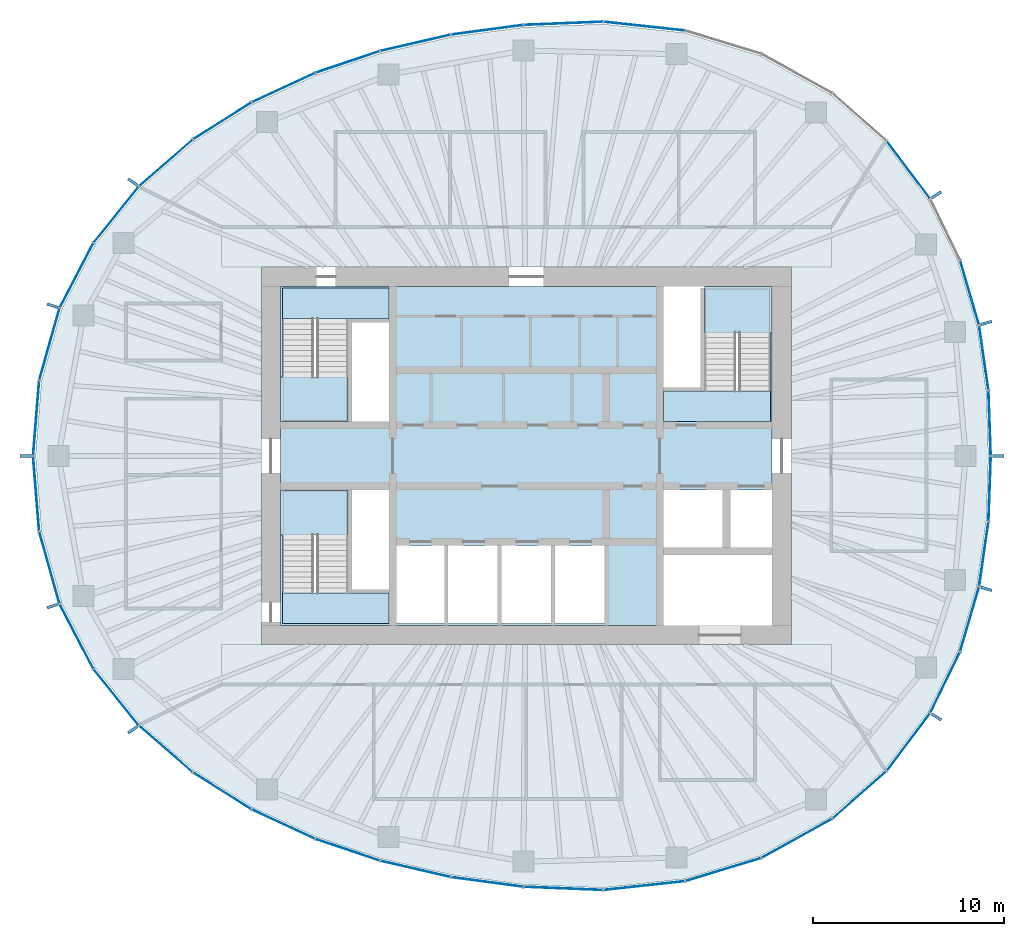
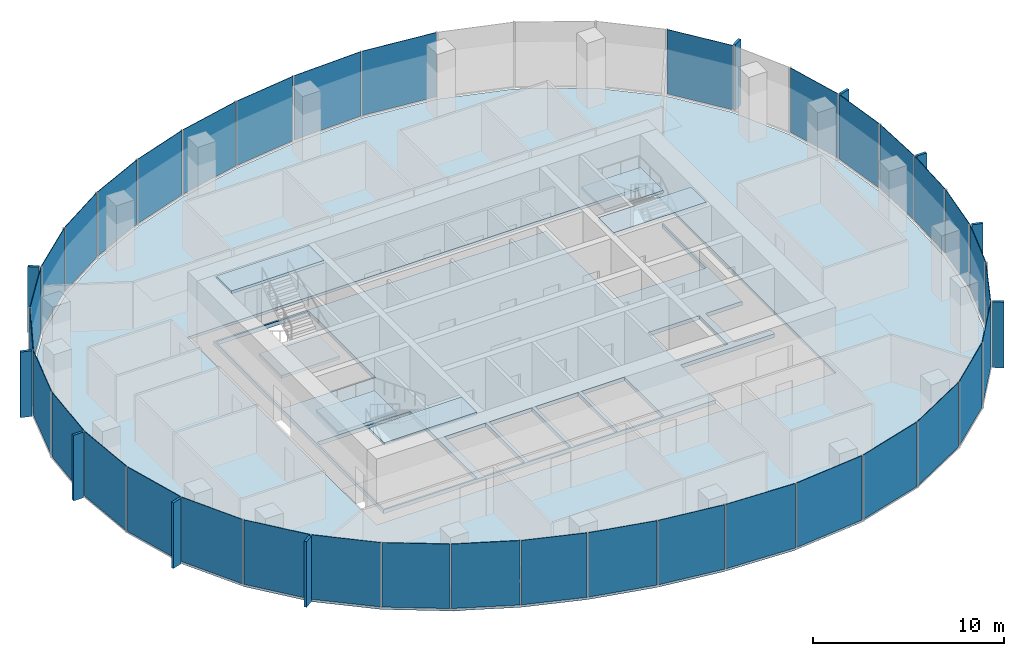
# One storey, part 7 of 11: 46 plates, 8 slabs, 22 elements without a shape of their own.
"""IFC4 building model written with IfcOpenShell, lengths in metres."""

import ifcopenshell
import ifcopenshell.guid

model = None  # the IFC model being written
_history = None  # IfcOwnerHistory: only IFC2X3 demands one
_inside = {}  # id of a spatial element -> (the spatial element, [elements in it])
_under = {}  # id of a project, library or spatial element -> (it, [spatial elements below it])
_declared = {}  # id of a project -> (the project, [libraries it declares])
_typed = {}  # id of a type object -> (the type object, [elements of that type])
_made_of = {}  # id of a material, layer set ... -> (it, [elements and type objects made of it])


def new_model(schema):
    """Start an empty IFC model of exactly this schema.

    Asked for "IFC4X3", IfcOpenShell would pick the latest addendum, in which some entities
    have other attributes; the version numbers below select the first issue.
    IFC2X3 requires an IfcOwnerHistory on every rooted entity: one is made here for all.
    """
    global model, _history
    if schema == "IFC4X3":
        model = ifcopenshell.file(schema_version=(4, 3, 0, 0))
    else:
        model = ifcopenshell.file(schema=schema)
    _inside.clear()
    _under.clear()
    _declared.clear()
    _typed.clear()
    _made_of.clear()
    _history = None
    if model.schema == "IFC2X3":
        org = make("IfcOrganization", Name="unknown")
        user = make(
            "IfcPersonAndOrganization",
            ThePerson=make("IfcPerson", FamilyName="unknown"),
            TheOrganization=org,
        )
        app = make(
            "IfcApplication",
            ApplicationDeveloper=org,
            Version="unknown",
            ApplicationFullName="unknown",
            ApplicationIdentifier="unknown",
        )
        _history = make(
            "IfcOwnerHistory",
            OwningUser=user,
            OwningApplication=app,
            ChangeAction="ADDED",
            CreationDate=0,
        )
    return model


def make(cls, **values):
    """One entity of the class cls with the attributes given. An attribute that is None is left unset."""
    return model.create_entity(
        cls, **{name: value for name, value in values.items() if value is not None}
    )


def rooted(cls, **values):
    """An entity with a GlobalId (a new one), such as an element, a storey or a relation."""
    return make(cls, GlobalId=ifcopenshell.guid.new(), OwnerHistory=_history, **values)


def si_unit(unit_type, name, prefix=None):
    """IfcSIUnit, for example si_unit("LENGTHUNIT", "METRE", prefix="MILLI")."""
    return make("IfcSIUnit", UnitType=unit_type, Prefix=prefix, Name=name)


def assignment(units):
    """IfcUnitAssignment: the units of a project."""
    return None if units is None else make("IfcUnitAssignment", Units=units)


def point(xyz):
    """IfcCartesianPoint."""
    return None if xyz is None else make("IfcCartesianPoint", Coordinates=xyz)


def direction(xyz):
    """IfcDirection."""
    return None if xyz is None else make("IfcDirection", DirectionRatios=xyz)


def frame(location, z_axis=None, x_axis=None):
    """IfcAxis2Placement3D, a coordinate frame: its origin and axes. An axis left out is left unset."""
    return make(
        "IfcAxis2Placement3D",
        Location=point(location),
        Axis=direction(z_axis),
        RefDirection=direction(x_axis),
    )


def frame_2d(location, x_axis=None):
    """IfcAxis2Placement2D, a coordinate frame in the plane: its origin and x axis."""
    return make(
        "IfcAxis2Placement2D", Location=point(location), RefDirection=direction(x_axis)
    )


def origin():
    """The frame at (0, 0, 0) with its axes left unset."""
    return frame((0.0, 0.0, 0.0))


def origin_2d():
    """The frame at (0, 0) in the plane with its x axis left unset."""
    return frame_2d((0.0, 0.0))


def place(relative_to, where):
    """IfcLocalPlacement: puts the frame where relative to a parent placement (None: the world)."""
    return make(
        "IfcLocalPlacement", PlacementRelTo=relative_to, RelativePlacement=where
    )


def context(
    kind, dimensions, precision=None, world=None, true_north=None, identifier=None
):
    """IfcGeometricRepresentationContext, for example the 3D "Model" context."""
    return make(
        "IfcGeometricRepresentationContext",
        ContextIdentifier=identifier,
        ContextType=kind,
        CoordinateSpaceDimension=dimensions,
        Precision=precision,
        WorldCoordinateSystem=world,
        TrueNorth=true_north,
    )


def subcontext(parent, identifier, kind, view, scale=None):
    """IfcGeometricRepresentationSubContext, for example "Body" below "Model"."""
    return make(
        "IfcGeometricRepresentationSubContext",
        ContextIdentifier=identifier,
        ContextType=kind,
        ParentContext=parent,
        TargetScale=scale,
        TargetView=view,
    )


def project(units=None, contexts=None):
    """IfcProject with its units and contexts."""
    return rooted(
        "IfcProject",
        Name="project",
        RepresentationContexts=contexts,
        UnitsInContext=assignment(units),
    )


def spatial(cls, under=None, at=None, **own):
    """A site, building, storey or space (cls), placed at a placement, below another one or the project."""
    s = rooted(cls, ObjectPlacement=at, **own)
    if under is not None:
        _under.setdefault(under.id(), (under, []))[1].append(s)
    return s


def polyline(points):
    """IfcPolyline through the points."""
    return make("IfcPolyline", Points=[point(p) for p in points])


def profile(cls, at=None, kind="AREA", **sizes):
    """A parametric profile (cls). Its sizes go by their IFC names, for example OverallWidth=200.0."""
    return make(cls, ProfileType=kind, Position=at, **sizes)


def rectangle(**sizes):
    """IfcRectangleProfileDef."""
    return profile("IfcRectangleProfileDef", **sizes)


def outline(outer, holes=None, kind="AREA"):
    """IfcArbitraryClosedProfileDef: a profile drawn as a closed curve; with holes, ...WithVoids."""
    if holes is None:
        return make("IfcArbitraryClosedProfileDef", ProfileType=kind, OuterCurve=outer)
    return make(
        "IfcArbitraryProfileDefWithVoids",
        ProfileType=kind,
        OuterCurve=outer,
        InnerCurves=holes,
    )


def extrude(swept, where, along, depth):
    """IfcExtrudedAreaSolid: the profile swept, set in the frame where, extruded along a direction by depth."""
    return make(
        "IfcExtrudedAreaSolid",
        SweptArea=swept,
        Position=where,
        ExtrudedDirection=direction(along),
        Depth=depth,
    )


def shape(context_of_items, identifier, shape_type, items):
    """IfcShapeRepresentation: the items that make up one representation, for example the "Body"."""
    return make(
        "IfcShapeRepresentation",
        ContextOfItems=context_of_items,
        RepresentationIdentifier=identifier,
        RepresentationType=shape_type,
        Items=items,
    )


def material(Name=None, Category=None):
    """IfcMaterial."""
    return make("IfcMaterial", Name=Name, Category=Category)


def layer(
    of_material, thickness, ventilated=None, Name=None, Category=None, Priority=None
):
    """IfcMaterialLayer: one layer of a wall or slab, of a material (None: an air gap)."""
    return make(
        "IfcMaterialLayer",
        Material=of_material,
        LayerThickness=thickness,
        IsVentilated=ventilated,
        Name=Name,
        Category=Category,
        Priority=Priority,
    )


def layer_set(layers, Name=None):
    """IfcMaterialLayerSet."""
    return make("IfcMaterialLayerSet", MaterialLayers=layers, LayerSetName=Name)


def made_of(thing, what):
    """Note that an element or type object is made of a material, layer set ...; save() writes the relation."""
    if what is not None:
        _made_of.setdefault(what.id(), (what, []))[1].append(thing)
    return thing


def type_object(cls, material=None, **own):
    """A type object (cls), such as IfcWallType, which elements share."""
    return made_of(rooted(cls, **own), material)


def element(
    cls,
    number,
    at=None,
    inside=None,
    cuts=None,
    type_object=None,
    material=None,
    context=None,
    identifier="Body",
    shape_type=None,
    held_by="IfcProductDefinitionShape",
    body=None,
    shapes=None,
    **own,
):
    """One element of the class cls, such as IfcWall. Its Tag is "e" and its number.

    at: its placement. inside: the storey or other place that contains it. cuts: it is an
    opening in that element (IfcRelVoidsElement). A single representation is given by context,
    identifier, shape_type and body (its items); several are given by shapes. held_by: the class
    of the entity that holds the representations. save() writes the other relations.
    """
    e = rooted(cls, Tag="e%d" % number, ObjectPlacement=at, **own)
    if body is not None:
        shapes = [shape(context, identifier, shape_type, body)]
    if shapes is not None:
        e.Representation = make(held_by, Representations=shapes)
    if inside is not None:
        _inside.setdefault(inside.id(), (inside, []))[1].append(e)
    if cuts is not None:
        rooted(
            "IfcRelVoidsElement", RelatingBuildingElement=cuts, RelatedOpeningElement=e
        )
    if type_object is not None:
        _typed.setdefault(type_object.id(), (type_object, []))[1].append(e)
    return made_of(e, material)


def aggregate(whole, parts):
    """IfcRelAggregates: a whole, such as a stair, and the parts it consists of."""
    return rooted("IfcRelAggregates", RelatingObject=whole, RelatedObjects=parts)


def save(model, path):
    """Write the relations noted so far, then the file.

    IfcRelAggregates (storeys below a building ...), IfcRelContainedInSpatialStructure (elements
    in a storey), IfcRelDefinesByType, IfcRelAssociatesMaterial and IfcRelDeclares: one each for
    every whole, place, type object, material and project.
    """
    for whole, parts in _under.values():
        aggregate(whole, parts)
    for where, things in _inside.values():
        rooted(
            "IfcRelContainedInSpatialStructure",
            RelatedElements=things,
            RelatingStructure=where,
        )
    for kind, things in _typed.values():
        rooted("IfcRelDefinesByType", RelatedObjects=things, RelatingType=kind)
    for what, things in _made_of.values():
        rooted("IfcRelAssociatesMaterial", RelatedObjects=things, RelatingMaterial=what)
    for by, libraries in _declared.values():
        rooted("IfcRelDeclares", RelatingContext=by, RelatedDefinitions=libraries)
    model.write(path)


model = new_model("IFC4")

# Units and contexts
model_context = context("Model", 3, precision=1e-05, world=origin(), true_north=direction((0.0, 1.0)))
body_context = subcontext(model_context, "Body", "Model", "MODEL_VIEW")
ifc_project = project(units=[si_unit("LENGTHUNIT", "METRE"), si_unit("AREAUNIT", "SQUARE_METRE"), si_unit("VOLUMEUNIT", "CUBIC_METRE"), si_unit("PLANEANGLEUNIT", "RADIAN"), si_unit("MASSUNIT", "GRAM", prefix="KILO")], contexts=[model_context])

# Site, building, storey
site_placement = place(None, origin())
site = spatial("IfcSite", under=ifc_project, at=site_placement, CompositionType="ELEMENT")
building_placement = place(site_placement, origin())
building = spatial("IfcBuilding", under=site, at=building_placement, Name="Ghaith Harvest Tower", CompositionType="ELEMENT")
storey_placement = place(building_placement, frame((0.0, 0.0, 279.60009765625)))
storey = spatial("IfcBuildingStorey", under=building, at=storey_placement, Name="L62", CompositionType="ELEMENT", Elevation=279.60009765625)

# Curtain wall, plates
ifc_material_1 = material(Name="Black anodised aluminium and fritted glass", Category="aluminium")
curtain_wall_type = type_object("IfcCurtainWallType", Name="CW-T CURTAIN WALL", PredefinedType="NOTDEFINED", material=ifc_material_1)
curtain_wall_1_placement = place(storey_placement, origin())
curtain_wall_1 = element("IfcCurtainWall", 1, at=curtain_wall_1_placement, inside=storey, type_object=curtain_wall_type, Name="Curtain wall CW-T bay 01 L62", PredefinedType="NOTDEFINED")
ifc_material_2 = material(Name="Glass, dark solar-control fritted double glazed unit", Category="glass")
ifc_layer_1 = layer(ifc_material_2, 0.033935546875)
ifc_layer_set_1 = layer_set([ifc_layer_1], Name="CW-T VISION PANEL")
plate_type_1 = type_object("IfcPlateType", Name="CW-T VISION PANEL", PredefinedType="CURTAIN_PANEL", material=ifc_layer_set_1)
plate_1_placement = place(storey_placement, frame((24.308837890625, 1.716796875, 0.079833984375), z_axis=(0.0, 0.0, 1.0), x_axis=(-0.035536161859, 0.999368391135, 0.0)))
plate_1 = element("IfcPlate", 2, at=plate_1_placement, type_object=plate_type_1, Name="CW-T glass unit 1 bay 01 L62", PredefinedType="CURTAIN_PANEL", context=body_context, shape_type="SweptSolid", body=[
    extrude(rectangle(XDim=3.35595703125, YDim=0.033935546875, at=origin_2d()), origin(), (0.0, 0.0, 1.0), 4.1201171875),
])
plate_2_placement = place(storey_placement, frame((24.00048828125, 5.1494140625, 0.079833984375), z_axis=(0.0, 0.0, 1.0), x_axis=(-0.142729771229, 0.989761694755, 0.0)))
plate_2 = element("IfcPlate", 3, at=plate_2_placement, type_object=plate_type_1, Name="CW-T glass unit 2 bay 01 L62", PredefinedType="CURTAIN_PANEL", context=body_context, shape_type="SweptSolid", body=[
    extrude(rectangle(XDim=3.38671875, YDim=0.033935546875, at=origin_2d()), origin(), (0.0, 0.0, 1.0), 4.1201171875),
])
aggregate(curtain_wall_1, [plate_1, plate_2])

# Curtain wall, plate
curtain_wall_2_placement = place(storey_placement, origin())
curtain_wall_2 = element("IfcCurtainWall", 4, at=curtain_wall_2_placement, inside=storey, type_object=curtain_wall_type, Name="Curtain wall CW-T bay 02 L62", PredefinedType="NOTDEFINED")
plate_3_placement = place(storey_placement, frame((23.253662109375, 8.56884765625, 0.079833984375), z_axis=(0.0, 0.0, 1.0), x_axis=(-0.281344622776, 0.959606796159, 0.0)))
plate_3 = element("IfcPlate", 5, at=plate_3_placement, type_object=plate_type_1, Name="CW-T glass unit 1 bay 02 L62", PredefinedType="CURTAIN_PANEL", context=body_context, shape_type="SweptSolid", body=[
    extrude(rectangle(XDim=3.470703125, YDim=0.033935546875, at=origin_2d()), origin(), (0.0, 0.0, 1.0), 4.1201171875),
])
aggregate(curtain_wall_2, [plate_3])

curtain_wall_3_placement = place(storey_placement, origin())
curtain_wall_3 = element("IfcCurtainWall", 6, at=curtain_wall_3_placement, inside=storey, type_object=curtain_wall_type, Name="Curtain wall CW-T bay 03 L62", PredefinedType="NOTDEFINED")
plate_4_placement = place(storey_placement, frame((20.045166015625, 15.006103515625, 0.079833984375), z_axis=(0.0, 0.0, 1.0), x_axis=(-0.601047892764, 0.799213007029, 0.0)))
plate_4 = element("IfcPlate", 7, at=plate_4_placement, type_object=plate_type_1, Name="CW-T glass unit 1 bay 03 L62", PredefinedType="CURTAIN_PANEL", context=body_context, shape_type="SweptSolid", body=[
    extrude(rectangle(XDim=3.7265625, YDim=0.033935546875, at=origin_2d()), origin(), (0.0, 0.0, 1.0), 4.1201171875),
])
aggregate(curtain_wall_3, [plate_4])

# Curtain wall, plates
curtain_wall_4_placement = place(storey_placement, origin())
curtain_wall_4 = element("IfcCurtainWall", 8, at=curtain_wall_4_placement, inside=storey, type_object=curtain_wall_type, Name="Curtain wall CW-T bay 05 L62", PredefinedType="NOTDEFINED")
plate_5_placement = place(storey_placement, frame((6.188720703125, 22.542724609375, 0.079833984375), z_axis=(0.0, 0.0, 1.0), x_axis=(-0.994142883447, 0.108073712304, 0.0)))
plate_5 = element("IfcPlate", 9, at=plate_5_placement, type_object=plate_type_1, Name="CW-T glass unit 1 bay 05 L62", PredefinedType="CURTAIN_PANEL", context=body_context, shape_type="SweptSolid", body=[
    extrude(rectangle(XDim=4.24755859375, YDim=0.033935546875, at=origin_2d()), origin(), (0.0, 0.0, 1.0), 4.1201171875),
])
plate_6_placement = place(storey_placement, frame((1.94140625, 22.691162109375, 0.079833984375), z_axis=(0.0, 0.0, 1.0), x_axis=(-0.999173925852, -0.040638231968, 0.0)))
plate_6 = element("IfcPlate", 10, at=plate_6_placement, type_object=plate_type_1, Name="CW-T glass unit 2 bay 05 L62", PredefinedType="CURTAIN_PANEL", context=body_context, shape_type="SweptSolid", body=[
    extrude(rectangle(XDim=4.115966796875, YDim=0.033935546875, at=origin_2d()), origin(), (0.0, 0.0, 1.0), 4.1201171875),
])
aggregate(curtain_wall_4, [plate_5, plate_6])

curtain_wall_5_placement = place(storey_placement, origin())
curtain_wall_5 = element("IfcCurtainWall", 11, at=curtain_wall_5_placement, inside=storey, type_object=curtain_wall_type, Name="Curtain wall CW-T bay 06 L62", PredefinedType="NOTDEFINED")
plate_7_placement = place(storey_placement, frame((-2.050537109375, 22.352294921875, 0.079833984375), z_axis=(0.0, 0.0, 1.0), x_axis=(-0.991165262661, -0.132632658474, 0.0)))
plate_7 = element("IfcPlate", 12, at=plate_7_placement, type_object=plate_type_1, Name="CW-T glass unit 1 bay 06 L62", PredefinedType="CURTAIN_PANEL", context=body_context, shape_type="SweptSolid", body=[
    extrude(rectangle(XDim=3.74560546875, YDim=0.033935546875, at=origin_2d()), origin(), (0.0, 0.0, 1.0), 4.1201171875),
])
plate_8_placement = place(storey_placement, frame((-5.80859375, 21.66845703125, 0.079833984375), z_axis=(0.0, 0.0, 1.0), x_axis=(-0.974342245415, -0.225071519297, 0.0)))
plate_8 = element("IfcPlate", 13, at=plate_8_placement, type_object=plate_type_1, Name="CW-T glass unit 2 bay 06 L62", PredefinedType="CURTAIN_PANEL", context=body_context, shape_type="SweptSolid", body=[
    extrude(rectangle(XDim=3.742431640625, YDim=0.033935546875, at=origin_2d()), origin(), (0.0, 0.0, 1.0), 4.1201171875),
])
aggregate(curtain_wall_5, [plate_7, plate_8])

curtain_wall_6_placement = place(storey_placement, origin())
curtain_wall_6 = element("IfcCurtainWall", 14, at=curtain_wall_6_placement, inside=storey, type_object=curtain_wall_type, Name="Curtain wall CW-T bay 07 L62", PredefinedType="NOTDEFINED")
plate_9_placement = place(storey_placement, frame((-9.369140625, 20.665771484375, 0.079833984375), z_axis=(0.0, 0.0, 1.0), x_axis=(-0.947586403329, -0.319499621637, 0.0)))
plate_9 = element("IfcPlate", 15, at=plate_9_placement, type_object=plate_type_1, Name="CW-T glass unit 1 bay 07 L62", PredefinedType="CURTAIN_PANEL", context=body_context, shape_type="SweptSolid", body=[
    extrude(rectangle(XDim=3.50439453125, YDim=0.033935546875, at=origin_2d()), origin(), (0.0, 0.0, 1.0), 4.1201171875),
])
plate_10_placement = place(storey_placement, frame((-12.736083984375, 19.3203125, 0.079833984375), z_axis=(0.0, 0.0, 1.0), x_axis=(-0.907450165401, -0.420159728334, 0.0)))
plate_10 = element("IfcPlate", 16, at=plate_10_placement, type_object=plate_type_1, Name="CW-T glass unit 2 bay 07 L62", PredefinedType="CURTAIN_PANEL", context=body_context, shape_type="SweptSolid", body=[
    extrude(rectangle(XDim=3.597900390625, YDim=0.033935546875, at=origin_2d()), origin(), (0.0, 0.0, 1.0), 4.1201171875),
])
aggregate(curtain_wall_6, [plate_9, plate_10])

curtain_wall_7_placement = place(storey_placement, origin())
curtain_wall_7 = element("IfcCurtainWall", 17, at=curtain_wall_7_placement, inside=storey, type_object=curtain_wall_type, Name="Curtain wall CW-T bay 08 L62", PredefinedType="NOTDEFINED")
plate_11_placement = place(storey_placement, frame((-15.94970703125, 17.57421875, 0.079833984375), z_axis=(0.0, 0.0, 1.0), x_axis=(-0.846043473903, -0.533113909279, 0.0)))
plate_11 = element("IfcPlate", 18, at=plate_11_placement, type_object=plate_type_1, Name="CW-T glass unit 1 bay 08 L62", PredefinedType="CURTAIN_PANEL", context=body_context, shape_type="SweptSolid", body=[
    extrude(rectangle(XDim=3.572021484375, YDim=0.033935546875, at=origin_2d()), origin(), (0.0, 0.0, 1.0), 4.1201171875),
])
plate_12_placement = place(storey_placement, frame((-18.909423828125, 15.371337890625, 0.079833984375), z_axis=(0.0, 0.0, 1.0), x_axis=(-0.754828549513, -0.655922145411, 0.0)))
plate_12 = element("IfcPlate", 19, at=plate_12_placement, type_object=plate_type_1, Name="CW-T glass unit 2 bay 08 L62", PredefinedType="CURTAIN_PANEL", context=body_context, shape_type="SweptSolid", body=[
    extrude(rectangle(XDim=3.668701171875, YDim=0.033935546875, at=origin_2d()), origin(), (0.0, 0.0, 1.0), 4.1201171875),
])
aggregate(curtain_wall_7, [plate_11, plate_12])

curtain_wall_8_placement = place(storey_placement, origin())
curtain_wall_8 = element("IfcCurtainWall", 20, at=curtain_wall_8_placement, inside=storey, type_object=curtain_wall_type, Name="Curtain wall CW-T bay 09 L62", PredefinedType="NOTDEFINED")
plate_13_placement = place(storey_placement, frame((-21.515380859375, 12.6591796875, 0.079833984375), z_axis=(0.0, 0.0, 1.0), x_axis=(-0.626229505742, -0.779638766441, 0.0)))
plate_13 = element("IfcPlate", 21, at=plate_13_placement, type_object=plate_type_1, Name="CW-T glass unit 1 bay 09 L62", PredefinedType="CURTAIN_PANEL", context=body_context, shape_type="SweptSolid", body=[
    extrude(rectangle(XDim=3.723388671875, YDim=0.033935546875, at=origin_2d()), origin(), (0.0, 0.0, 1.0), 4.1201171875),
])
plate_14_placement = place(storey_placement, frame((-23.594482421875, 9.4677734375, 0.079833984375), z_axis=(0.0, 0.0, 1.0), x_axis=(-0.461229945578, -0.887280641794, 0.0)))
plate_14 = element("IfcPlate", 22, at=plate_14_placement, type_object=plate_type_1, Name="CW-T glass unit 2 bay 09 L62", PredefinedType="CURTAIN_PANEL", context=body_context, shape_type="SweptSolid", body=[
    extrude(rectangle(XDim=3.771728515625, YDim=0.033935546875, at=origin_2d()), origin(), (0.0, 0.0, 1.0), 4.1201171875),
])
aggregate(curtain_wall_8, [plate_13, plate_14])

curtain_wall_9_placement = place(storey_placement, origin())
curtain_wall_9 = element("IfcCurtainWall", 23, at=curtain_wall_9_placement, inside=storey, type_object=curtain_wall_type, Name="Curtain wall CW-T bay 10 L62", PredefinedType="NOTDEFINED")
plate_15_placement = place(storey_placement, frame((-25.017333984375, 5.85546875, 0.079833984375), z_axis=(0.0, 0.0, 1.0), x_axis=(-0.270355239749, -0.962760637095, 0.0)))
plate_15 = element("IfcPlate", 24, at=plate_15_placement, type_object=plate_type_1, Name="CW-T glass unit 1 bay 10 L62", PredefinedType="CURTAIN_PANEL", context=body_context, shape_type="SweptSolid", body=[
    extrude(rectangle(XDim=3.874267578125, YDim=0.033935546875, at=origin_2d()), origin(), (0.0, 0.0, 1.0), 4.1201171875),
])
plate_16_placement = place(storey_placement, frame((-25.7109375, 1.97607421875, 0.079833984375), z_axis=(0.0, 0.0, 1.0), x_axis=(-0.080257648011, -0.99677415192, 0.0)))
plate_16 = element("IfcPlate", 25, at=plate_16_placement, type_object=plate_type_1, Name="CW-T glass unit 2 bay 10 L62", PredefinedType="CURTAIN_PANEL", context=body_context, shape_type="SweptSolid", body=[
    extrude(rectangle(XDim=3.884765625, YDim=0.033935546875, at=origin_2d()), origin(), (0.0, 0.0, 1.0), 4.1201171875),
])
aggregate(curtain_wall_9, [plate_15, plate_16])

curtain_wall_10_placement = place(storey_placement, origin())
curtain_wall_10 = element("IfcCurtainWall", 26, at=curtain_wall_10_placement, inside=storey, type_object=curtain_wall_type, Name="Curtain wall CW-T bay 11 L62", PredefinedType="NOTDEFINED")
plate_17_placement = place(storey_placement, frame((-25.7109375, -1.97607421875, 0.079833984375), z_axis=(0.0, 0.0, 1.0), x_axis=(0.080257648324, -0.996774151895, 0.0)))
plate_17 = element("IfcPlate", 27, at=plate_17_placement, type_object=plate_type_1, Name="CW-T glass unit 1 bay 11 L62", PredefinedType="CURTAIN_PANEL", context=body_context, shape_type="SweptSolid", body=[
    extrude(rectangle(XDim=3.884765625, YDim=0.033935546875, at=origin_2d()), origin(), (0.0, 0.0, 1.0), 4.1201171875),
])
plate_18_placement = place(storey_placement, frame((-25.017333984375, -5.85546875, 0.079833984375), z_axis=(0.0, 0.0, 1.0), x_axis=(0.27035523953, -0.962760637157, 0.0)))
plate_18 = element("IfcPlate", 28, at=plate_18_placement, type_object=plate_type_1, Name="CW-T glass unit 2 bay 11 L62", PredefinedType="CURTAIN_PANEL", context=body_context, shape_type="SweptSolid", body=[
    extrude(rectangle(XDim=3.874267578125, YDim=0.033935546875, at=origin_2d()), origin(), (0.0, 0.0, 1.0), 4.1201171875),
])
aggregate(curtain_wall_10, [plate_17, plate_18])

curtain_wall_11_placement = place(storey_placement, origin())
curtain_wall_11 = element("IfcCurtainWall", 29, at=curtain_wall_11_placement, inside=storey, type_object=curtain_wall_type, Name="Curtain wall CW-T bay 12 L62", PredefinedType="NOTDEFINED")
plate_19_placement = place(storey_placement, frame((-23.594482421875, -9.4677734375, 0.079833984375), z_axis=(0.0, 0.0, 1.0), x_axis=(0.461229945377, -0.887280641898, 0.0)))
plate_19 = element("IfcPlate", 30, at=plate_19_placement, type_object=plate_type_1, Name="CW-T glass unit 1 bay 12 L62", PredefinedType="CURTAIN_PANEL", context=body_context, shape_type="SweptSolid", body=[
    extrude(rectangle(XDim=3.771728515625, YDim=0.033935546875, at=origin_2d()), origin(), (0.0, 0.0, 1.0), 4.1201171875),
])
plate_20_placement = place(storey_placement, frame((-21.515380859375, -12.6591796875, 0.079833984375), z_axis=(0.0, 0.0, 1.0), x_axis=(0.626229505565, -0.779638766583, 0.0)))
plate_20 = element("IfcPlate", 31, at=plate_20_placement, type_object=plate_type_1, Name="CW-T glass unit 2 bay 12 L62", PredefinedType="CURTAIN_PANEL", context=body_context, shape_type="SweptSolid", body=[
    extrude(rectangle(XDim=3.723388671875, YDim=0.033935546875, at=origin_2d()), origin(), (0.0, 0.0, 1.0), 4.1201171875),
])
aggregate(curtain_wall_11, [plate_19, plate_20])

curtain_wall_12_placement = place(storey_placement, origin())
curtain_wall_12 = element("IfcCurtainWall", 32, at=curtain_wall_12_placement, inside=storey, type_object=curtain_wall_type, Name="Curtain wall CW-T bay 13 L62", PredefinedType="NOTDEFINED")
plate_21_placement = place(storey_placement, frame((-18.909423828125, -15.371337890625, 0.079833984375), z_axis=(0.0, 0.0, 1.0), x_axis=(0.754828549376, -0.655922145569, 0.0)))
plate_21 = element("IfcPlate", 33, at=plate_21_placement, type_object=plate_type_1, Name="CW-T glass unit 1 bay 13 L62", PredefinedType="CURTAIN_PANEL", context=body_context, shape_type="SweptSolid", body=[
    extrude(rectangle(XDim=3.668701171875, YDim=0.033935546875, at=origin_2d()), origin(), (0.0, 0.0, 1.0), 4.1201171875),
])
plate_22_placement = place(storey_placement, frame((-15.94970703125, -17.57421875, 0.079833984375), z_axis=(0.0, 0.0, 1.0), x_axis=(0.846043474052, -0.533113909042, 0.0)))
plate_22 = element("IfcPlate", 34, at=plate_22_placement, type_object=plate_type_1, Name="CW-T glass unit 2 bay 13 L62", PredefinedType="CURTAIN_PANEL", context=body_context, shape_type="SweptSolid", body=[
    extrude(rectangle(XDim=3.572021484375, YDim=0.033935546875, at=origin_2d()), origin(), (0.0, 0.0, 1.0), 4.1201171875),
])
aggregate(curtain_wall_12, [plate_21, plate_22])

curtain_wall_13_placement = place(storey_placement, origin())
curtain_wall_13 = element("IfcCurtainWall", 35, at=curtain_wall_13_placement, inside=storey, type_object=curtain_wall_type, Name="Curtain wall CW-T bay 14 L62", PredefinedType="NOTDEFINED")
plate_23_placement = place(storey_placement, frame((-12.736083984375, -19.3203125, 0.079833984375), z_axis=(0.0, 0.0, 1.0), x_axis=(0.907450165812, -0.420159727447, 0.0)))
plate_23 = element("IfcPlate", 36, at=plate_23_placement, type_object=plate_type_1, Name="CW-T glass unit 1 bay 14 L62", PredefinedType="CURTAIN_PANEL", context=body_context, shape_type="SweptSolid", body=[
    extrude(rectangle(XDim=3.597900390625, YDim=0.033935546875, at=origin_2d()), origin(), (0.0, 0.0, 1.0), 4.1201171875),
])
plate_24_placement = place(storey_placement, frame((-9.369140625, -20.665771484375, 0.079833984375), z_axis=(0.0, 0.0, 1.0), x_axis=(0.947586403597, -0.319499620843, 0.0)))
plate_24 = element("IfcPlate", 37, at=plate_24_placement, type_object=plate_type_1, Name="CW-T glass unit 2 bay 14 L62", PredefinedType="CURTAIN_PANEL", context=body_context, shape_type="SweptSolid", body=[
    extrude(rectangle(XDim=3.50439453125, YDim=0.033935546875, at=origin_2d()), origin(), (0.0, 0.0, 1.0), 4.1201171875),
])
aggregate(curtain_wall_13, [plate_23, plate_24])

curtain_wall_14_placement = place(storey_placement, origin())
curtain_wall_14 = element("IfcCurtainWall", 38, at=curtain_wall_14_placement, inside=storey, type_object=curtain_wall_type, Name="Curtain wall CW-T bay 15 L62", PredefinedType="NOTDEFINED")
plate_25_placement = place(storey_placement, frame((-5.80859375, -21.66845703125, 0.079833984375), z_axis=(0.0, 0.0, 1.0), x_axis=(0.974342245521, -0.225071518838, 0.0)))
plate_25 = element("IfcPlate", 39, at=plate_25_placement, type_object=plate_type_1, Name="CW-T glass unit 1 bay 15 L62", PredefinedType="CURTAIN_PANEL", context=body_context, shape_type="SweptSolid", body=[
    extrude(rectangle(XDim=3.742431640625, YDim=0.033935546875, at=origin_2d()), origin(), (0.0, 0.0, 1.0), 4.1201171875),
])
plate_26_placement = place(storey_placement, frame((-2.050537109375, -22.352294921875, 0.079833984375), z_axis=(0.0, 0.0, 1.0), x_axis=(0.991165262684, -0.132632658301, 0.0)))
plate_26 = element("IfcPlate", 40, at=plate_26_placement, type_object=plate_type_1, Name="CW-T glass unit 2 bay 15 L62", PredefinedType="CURTAIN_PANEL", context=body_context, shape_type="SweptSolid", body=[
    extrude(rectangle(XDim=3.74560546875, YDim=0.033935546875, at=origin_2d()), origin(), (0.0, 0.0, 1.0), 4.1201171875),
])
aggregate(curtain_wall_14, [plate_25, plate_26])

curtain_wall_15_placement = place(storey_placement, origin())
curtain_wall_15 = element("IfcCurtainWall", 41, at=curtain_wall_15_placement, inside=storey, type_object=curtain_wall_type, Name="Curtain wall CW-T bay 16 L62", PredefinedType="NOTDEFINED")
plate_27_placement = place(storey_placement, frame((1.94140625, -22.691162109375, 0.079833984375), z_axis=(0.0, 0.0, 1.0), x_axis=(0.999173925863, -0.040638231706, 0.0)))
plate_27 = element("IfcPlate", 42, at=plate_27_placement, type_object=plate_type_1, Name="CW-T glass unit 1 bay 16 L62", PredefinedType="CURTAIN_PANEL", context=body_context, shape_type="SweptSolid", body=[
    extrude(rectangle(XDim=4.115966796875, YDim=0.033935546875, at=origin_2d()), origin(), (0.0, 0.0, 1.0), 4.1201171875),
])
plate_28_placement = place(storey_placement, frame((6.188720703125, -22.542724609375, 0.079833984375), z_axis=(0.0, 0.0, 1.0), x_axis=(0.994142883417, 0.108073712581, 0.0)))
plate_28 = element("IfcPlate", 43, at=plate_28_placement, type_object=plate_type_1, Name="CW-T glass unit 2 bay 16 L62", PredefinedType="CURTAIN_PANEL", context=body_context, shape_type="SweptSolid", body=[
    extrude(rectangle(XDim=4.24755859375, YDim=0.033935546875, at=origin_2d()), origin(), (0.0, 0.0, 1.0), 4.1201171875),
])
aggregate(curtain_wall_15, [plate_27, plate_28])

curtain_wall_16_placement = place(storey_placement, origin())
curtain_wall_16 = element("IfcCurtainWall", 44, at=curtain_wall_16_placement, inside=storey, type_object=curtain_wall_type, Name="Curtain wall CW-T bay 17 L62", PredefinedType="NOTDEFINED")
plate_29_placement = place(storey_placement, frame((10.337158203125, -21.700439453125, 0.079833984375), z_axis=(0.0, 0.0, 1.0), x_axis=(0.956587736012, 0.291444511548, 0.0)))
plate_29 = element("IfcPlate", 45, at=plate_29_placement, type_object=plate_type_1, Name="CW-T glass unit 1 bay 17 L62", PredefinedType="CURTAIN_PANEL", context=body_context, shape_type="SweptSolid", body=[
    extrude(rectangle(XDim=4.095703125, YDim=0.033935546875, at=origin_2d()), origin(), (0.0, 0.0, 1.0), 4.1201171875),
])
plate_30_placement = place(storey_placement, frame((14.19189453125, -20.06201171875, 0.079833984375), z_axis=(0.0, 0.0, 1.0), x_axis=(0.874564022715, 0.484910064004, 0.0)))
plate_30 = element("IfcPlate", 46, at=plate_30_placement, type_object=plate_type_1, Name="CW-T glass unit 2 bay 17 L62", PredefinedType="CURTAIN_PANEL", context=body_context, shape_type="SweptSolid", body=[
    extrude(rectangle(XDim=4.167724609375, YDim=0.033935546875, at=origin_2d()), origin(), (0.0, 0.0, 1.0), 4.1201171875),
])
aggregate(curtain_wall_16, [plate_29, plate_30])

curtain_wall_17_placement = place(storey_placement, origin())
curtain_wall_17 = element("IfcCurtainWall", 47, at=curtain_wall_17_placement, inside=storey, type_object=curtain_wall_type, Name="Curtain wall CW-T bay 18 L62", PredefinedType="NOTDEFINED")
plate_31_placement = place(storey_placement, frame((17.47509765625, -17.779541015625, 0.079833984375), z_axis=(0.0, 0.0, 1.0), x_axis=(0.751334532577, 0.659921525757, 0.0)))
plate_31 = element("IfcPlate", 48, at=plate_31_placement, type_object=plate_type_1, Name="CW-T glass unit 1 bay 18 L62", PredefinedType="CURTAIN_PANEL", context=body_context, shape_type="SweptSolid", body=[
    extrude(rectangle(XDim=3.7158203125, YDim=0.033935546875, at=origin_2d()), origin(), (0.0, 0.0, 1.0), 4.1201171875),
])
plate_32_placement = place(storey_placement, frame((20.045166015625, -15.006103515625, 0.079833984375), z_axis=(0.0, 0.0, 1.0), x_axis=(0.601047892945, 0.799213006892, 0.0)))
plate_32 = element("IfcPlate", 49, at=plate_32_placement, type_object=plate_type_1, Name="CW-T glass unit 2 bay 18 L62", PredefinedType="CURTAIN_PANEL", context=body_context, shape_type="SweptSolid", body=[
    extrude(rectangle(XDim=3.7265625, YDim=0.033935546875, at=origin_2d()), origin(), (0.0, 0.0, 1.0), 4.1201171875),
])
aggregate(curtain_wall_17, [plate_31, plate_32])

curtain_wall_18_placement = place(storey_placement, origin())
curtain_wall_18 = element("IfcCurtainWall", 50, at=curtain_wall_18_placement, inside=storey, type_object=curtain_wall_type, Name="Curtain wall CW-T bay 19 L62", PredefinedType="NOTDEFINED")
plate_33_placement = place(storey_placement, frame((21.9716796875, -11.878662109375, 0.079833984375), z_axis=(0.0, 0.0, 1.0), x_axis=(0.437968365352, 0.898990384237, 0.0)))
plate_33 = element("IfcPlate", 51, at=plate_33_placement, type_object=plate_type_1, Name="CW-T glass unit 1 bay 19 L62", PredefinedType="CURTAIN_PANEL", context=body_context, shape_type="SweptSolid", body=[
    extrude(rectangle(XDim=3.49365234375, YDim=0.033935546875, at=origin_2d()), origin(), (0.0, 0.0, 1.0), 4.1201171875),
])
plate_34_placement = place(storey_placement, frame((23.253662109375, -8.56884765625, 0.079833984375), z_axis=(0.0, 0.0, 1.0), x_axis=(0.281344622977, 0.9596067961, 0.0)))
plate_34 = element("IfcPlate", 52, at=plate_34_placement, type_object=plate_type_1, Name="CW-T glass unit 2 bay 19 L62", PredefinedType="CURTAIN_PANEL", context=body_context, shape_type="SweptSolid", body=[
    extrude(rectangle(XDim=3.470703125, YDim=0.033935546875, at=origin_2d()), origin(), (0.0, 0.0, 1.0), 4.1201171875),
])
aggregate(curtain_wall_18, [plate_33, plate_34])

curtain_wall_19_placement = place(storey_placement, origin())
curtain_wall_19 = element("IfcCurtainWall", 53, at=curtain_wall_19_placement, inside=storey, type_object=curtain_wall_type, Name="Curtain wall CW-T bay 20 L62", PredefinedType="NOTDEFINED")
plate_35_placement = place(storey_placement, frame((24.00048828125, -5.1494140625, 0.079833984375), z_axis=(0.0, 0.0, 1.0), x_axis=(0.142729771402, 0.98976169473, 0.0)))
plate_35 = element("IfcPlate", 54, at=plate_35_placement, type_object=plate_type_1, Name="CW-T glass unit 1 bay 20 L62", PredefinedType="CURTAIN_PANEL", context=body_context, shape_type="SweptSolid", body=[
    extrude(rectangle(XDim=3.38671875, YDim=0.033935546875, at=origin_2d()), origin(), (0.0, 0.0, 1.0), 4.1201171875),
])
plate_36_placement = place(storey_placement, frame((24.308837890625, -1.716796875, 0.079833984375), z_axis=(0.0, 0.0, 1.0), x_axis=(0.035536161929, 0.999368391133, 0.0)))
plate_36 = element("IfcPlate", 55, at=plate_36_placement, type_object=plate_type_1, Name="CW-T glass unit 2 bay 20 L62", PredefinedType="CURTAIN_PANEL", context=body_context, shape_type="SweptSolid", body=[
    extrude(rectangle(XDim=3.35595703125, YDim=0.033935546875, at=origin_2d()), origin(), (0.0, 0.0, 1.0), 4.1201171875),
])
aggregate(curtain_wall_19, [plate_35, plate_36])

# Slabs
ifc_material_3 = material(Name="Concrete C40/50", Category="concrete")
ifc_layer_2 = layer(ifc_material_3, 0.169921875)
ifc_layer_set_2 = layer_set([ifc_layer_2], Name="FLOOR SLAB 170")
slab_type_1 = type_object("IfcSlabType", Name="FLOOR SLAB 170", PredefinedType="FLOOR", material=ifc_layer_set_2)
slab_1_placement = place(storey_placement, frame((0.0, 0.0, -0.170166015625)))
element("IfcSlab", 56, at=slab_1_placement, inside=storey, type_object=slab_type_1, Name="Floor slab L62", PredefinedType="FLOOR", context=body_context, shape_type="SweptSolid", body=[
    extrude(outline(polyline([(24.25, 0.0), (24.129150390625, 3.4169921875), (23.6376953125, 6.831787109375), (22.644775390625, 10.222900390625), (21.087890625, 13.42041015625), (18.810791015625, 16.4482421875), (15.971923828125, 18.940185546875), (12.273681640625, 20.98828125), (8.2978515625, 22.1962890625), (4.016845703125, 22.658447265625), (-0.15380859375, 22.486083984375), (-3.92529296875, 21.98046875), (-7.6298828125, 21.12548828125), (-11.009521484375, 19.98779296875), (-14.331298828125, 18.452880859375), (-17.40771484375, 16.518310546875), (-20.225830078125, 14.0732421875), (-22.5986328125, 11.12353515625), (-24.368408203125, 7.722900390625), (-25.43310546875, 3.93359375), (-25.75, 0.0), (-25.43310546875, -3.93359375), (-24.368408203125, -7.722900390625), (-22.5986328125, -11.12353515625), (-20.225830078125, -14.0732421875), (-17.40771484375, -16.518310546875), (-14.331298828125, -18.452880859375), (-11.009521484375, -19.98779296875), (-7.6298828125, -21.12548828125), (-3.92529296875, -21.98046875), (-0.15380859375, -22.486083984375), (4.016845703125, -22.658447265625), (8.2978515625, -22.1962890625), (12.273681640625, -20.98828125), (15.971923828125, -18.940185546875), (18.810791015625, -16.4482421875), (21.087890625, -13.42041015625), (22.644775390625, -10.222900390625), (23.6376953125, -6.831787109375), (24.129150390625, -3.4169921875), (24.25, 0.0)]), holes=[polyline([(-13.89990234375, -9.89990234375), (13.89990234375, -9.89990234375), (13.89990234375, 9.89990234375), (-13.89990234375, 9.89990234375), (-13.89990234375, -9.89990234375)])]), origin(), (0.0, 0.0, 1.0), 0.170166015625),
])
ifc_material_4 = material(Name="Concrete C40/50", Category="concrete")
ifc_layer_3 = layer(ifc_material_4, 0.25)
ifc_layer_set_3 = layer_set([ifc_layer_3], Name="FLOOR SLAB 250")
slab_type_2 = type_object("IfcSlabType", Name="FLOOR SLAB 250", PredefinedType="FLOOR", material=ifc_layer_set_3)
slab_2_placement = place(storey_placement, frame((0.0, 0.0, -0.25)))
element("IfcSlab", 57, at=slab_2_placement, inside=storey, type_object=slab_type_2, Name="Core slab L62", PredefinedType="FLOOR", context=body_context, shape_type="SweptSolid", body=[
    extrude(outline(polyline([(-12.89990234375, 8.89990234375), (7.199951171875, 8.89990234375), (7.199951171875, 1.800048828125), (12.800048828125, 1.800048828125), (12.800048828125, 6.4599609375), (12.89990234375, 6.4599609375), (12.89990234375, -1.800048828125), (10.699951171875, -1.800048828125), (10.699951171875, -4.800048828125), (12.89990234375, -4.800048828125), (12.89990234375, -5.199951171875), (7.199951171875, -5.199951171875), (7.199951171875, -8.89990234375), (-12.89990234375, -8.89990234375), (-12.89990234375, 8.89990234375)]), holes=[polyline([(-4.300048828125, -4.699951171875), (-6.800048828125, -4.699951171875), (-6.800048828125, -8.800048828125), (-4.300048828125, -8.800048828125), (-4.300048828125, -4.699951171875)]), polyline([(-1.5, -4.699951171875), (-4.10009765625, -4.699951171875), (-4.10009765625, -8.800048828125), (-1.5, -8.800048828125), (-1.5, -4.699951171875)]), polyline([(1.300048828125, -8.800048828125), (1.300048828125, -4.699951171875), (-1.300048828125, -4.699951171875), (-1.300048828125, -8.800048828125), (1.300048828125, -8.800048828125)]), polyline([(4.10009765625, -8.800048828125), (4.10009765625, -4.699951171875), (1.5, -4.699951171875), (1.5, -8.800048828125), (4.10009765625, -8.800048828125)]), polyline([(-7.199951171875, -1.800048828125), (-12.800048828125, -1.800048828125), (-12.800048828125, -8.800048828125), (-7.199951171875, -8.800048828125), (-7.199951171875, -1.800048828125)]), polyline([(10.300048828125, -1.800048828125), (7.199951171875, -1.800048828125), (7.199951171875, -4.800048828125), (10.300048828125, -4.800048828125), (10.300048828125, -1.800048828125)]), polyline([(-12.800048828125, 1.800048828125), (-7.199951171875, 1.800048828125), (-7.199951171875, 8.800048828125), (-12.800048828125, 8.800048828125), (-12.800048828125, 1.800048828125)])]), origin(), (0.0, 0.0, 1.0), 0.25),
])

# Stair, slabs
ifc_material_5 = material(Name="Concrete C40/50, precast", Category="concrete")
stair_type = type_object("IfcStairType", Name="CORE STAIR 24R", PredefinedType="HALF_TURN_STAIR", material=ifc_material_5)
stair_1_placement = place(storey_placement, origin())
stair_1 = element("IfcStair", 58, at=stair_1_placement, inside=storey, type_object=stair_type, Name="Stair ST1 L62", PredefinedType="HALF_TURN_STAIR")
ifc_material_6 = material(Name="Concrete C40/50, precast", Category="concrete")
ifc_layer_4 = layer(ifc_material_6, 0.179931640625)
ifc_layer_set_4 = layer_set([ifc_layer_4], Name="STAIR LANDING 180")
slab_type_3 = type_object("IfcSlabType", Name="STAIR LANDING 180", PredefinedType="LANDING", material=ifc_layer_set_4)
slab_3_placement = place(storey_placement, frame((0.0, 0.0, 1.919921875)))
slab_3 = element("IfcSlab", 59, at=slab_3_placement, type_object=slab_type_3, Name="ST1 landing 1", PredefinedType="LANDING", context=body_context, shape_type="SweptSolid", body=[
    extrude(outline(polyline([(-12.89990234375, 4.139892578125), (-12.89990234375, 1.800048828125), (-9.35009765625, 1.800048828125), (-9.35009765625, 4.139892578125), (-12.89990234375, 4.139892578125)])), origin(), (0.0, 0.0, 1.0), 0.179931640625),
])
slab_4_placement = place(storey_placement, frame((0.0, 0.0, 4.02001953125)))
slab_4 = element("IfcSlab", 60, at=slab_4_placement, type_object=slab_type_3, Name="ST1 landing 2", PredefinedType="LANDING", context=body_context, shape_type="SweptSolid", body=[
    extrude(outline(polyline([(-12.800048828125, 8.800048828125), (-12.800048828125, 7.199951171875), (-7.199951171875, 7.199951171875), (-7.199951171875, 8.800048828125), (-12.800048828125, 8.800048828125)])), origin(), (0.0, 0.0, 1.0), 0.179931640625),
])
aggregate(stair_1, [slab_3, slab_4])

stair_2_placement = place(storey_placement, origin())
stair_2 = element("IfcStair", 61, at=stair_2_placement, inside=storey, type_object=stair_type, Name="Stair ST3 L62", PredefinedType="HALF_TURN_STAIR")
slab_5_placement = place(storey_placement, frame((0.0, 0.0, 1.919921875)))
slab_5 = element("IfcSlab", 62, at=slab_5_placement, type_object=slab_type_3, Name="ST3 landing 1", PredefinedType="LANDING", context=body_context, shape_type="SweptSolid", body=[
    extrude(outline(polyline([(-12.89990234375, -4.139892578125), (-12.89990234375, -1.800048828125), (-9.35009765625, -1.800048828125), (-9.35009765625, -4.139892578125), (-12.89990234375, -4.139892578125)])), origin(), (0.0, 0.0, 1.0), 0.179931640625),
])
slab_6_placement = place(storey_placement, frame((0.0, 0.0, 4.02001953125)))
slab_6 = element("IfcSlab", 63, at=slab_6_placement, type_object=slab_type_3, Name="ST3 landing 2", PredefinedType="LANDING", context=body_context, shape_type="SweptSolid", body=[
    extrude(outline(polyline([(-12.800048828125, -8.800048828125), (-12.800048828125, -7.199951171875), (-7.199951171875, -7.199951171875), (-7.199951171875, -8.800048828125), (-12.800048828125, -8.800048828125)])), origin(), (0.0, 0.0, 1.0), 0.179931640625),
])
aggregate(stair_2, [slab_5, slab_6])

stair_3_placement = place(storey_placement, origin())
stair_3 = element("IfcStair", 64, at=stair_3_placement, inside=storey, type_object=stair_type, Name="Stair ST2 L62", PredefinedType="HALF_TURN_STAIR")
slab_7_placement = place(storey_placement, frame((0.0, 0.0, 1.919921875)))
slab_7 = element("IfcSlab", 65, at=slab_7_placement, type_object=slab_type_3, Name="ST2 landing 1", PredefinedType="LANDING", context=body_context, shape_type="SweptSolid", body=[
    extrude(outline(polyline([(12.89990234375, 6.4599609375), (12.89990234375, 8.89990234375), (9.35009765625, 8.89990234375), (9.35009765625, 6.4599609375), (12.89990234375, 6.4599609375)])), origin(), (0.0, 0.0, 1.0), 0.179931640625),
])
slab_8_placement = place(storey_placement, frame((0.0, 0.0, 4.02001953125)))
slab_8 = element("IfcSlab", 66, at=slab_8_placement, type_object=slab_type_3, Name="ST2 landing 2", PredefinedType="LANDING", context=body_context, shape_type="SweptSolid", body=[
    extrude(outline(polyline([(12.800048828125, 1.800048828125), (12.800048828125, 3.39990234375), (7.199951171875, 3.39990234375), (7.199951171875, 1.800048828125), (12.800048828125, 1.800048828125)])), origin(), (0.0, 0.0, 1.0), 0.179931640625),
])
aggregate(stair_3, [slab_7, slab_8])

# Plates
ifc_material_7 = material(Name="Glassfibre-reinforced concrete", Category="concrete")
ifc_layer_5 = layer(ifc_material_7, 0.14990234375)
ifc_layer_set_5 = layer_set([ifc_layer_5], Name="SUN-BREAKER FIN 600x150")
plate_type_2 = type_object("IfcPlateType", Name="SUN-BREAKER FIN 600x150", PredefinedType="USERDEFINED", material=ifc_layer_set_5)
for number, where, z_axis, x_axis, name in (
    (67, (24.760009765625, 0.0, 0.0), (0.0, 0.0, 1.0), (1.0, 0.0, 0.0), "Sun-breaker fin CW-T 1 bay 01 L62"),
    (68, (24.127685546875, 6.973388671875, 0.0), (0.0, 0.0, 1.0), (0.960680349985, 0.277656739792, 0.0), "Sun-breaker fin CW-T 1 bay 02 L62"),
    (69, (21.51806640625, 13.6943359375, 0.0), (0.0, 0.0, 1.0), (0.843643971464, 0.536903016766, 0.0), "Sun-breaker fin CW-T 1 bay 03 L62"),
    (70, (-20.64453125, 14.364501953125, 0.0), (0.0, 0.0, 1.0), (-0.820845486523, 0.571150319316, 0.0), "Sun-breaker fin CW-T 1 bay 09 L62"),
    (71, (-24.8544921875, 7.876708984375, 0.0), (0.0, 0.0, 1.0), (-0.953273219358, 0.302109531884, 0.0), "Sun-breaker fin CW-T 1 bay 10 L62"),
    (72, (-26.260009765625, 0.0, 0.0), (0.0, 0.0, 1.0), (-1.0, -4.19e-10, 0.0), "Sun-breaker fin CW-T 1 bay 11 L62"),
    (73, (-24.8544921875, -7.876708984375, 0.0), (0.0, 0.0, 1.0), (-0.953273219416, -0.302109531701, 0.0), "Sun-breaker fin CW-T 1 bay 12 L62"),
    (74, (-20.64453125, -14.364501953125, 0.0), (0.0, 0.0, 1.0), (-0.820845486622, -0.571150319173, 0.0), "Sun-breaker fin CW-T 1 bay 13 L62"),
    (75, (21.51806640625, -13.6943359375, 0.0), (0.0, 0.0, 1.0), (0.84364397137, -0.536903016913, 0.0), "Sun-breaker fin CW-T 1 bay 19 L62"),
    (76, (24.127685546875, -6.973388671875, 0.0), (0.0, 0.0, 1.0), (0.960680349932, -0.277656739976, 0.0), "Sun-breaker fin CW-T 1 bay 20 L62"),
):
    element("IfcPlate", number, at=place(storey_placement, frame(where, z_axis=z_axis, x_axis=x_axis)), inside=storey, type_object=plate_type_2, Name=name, ObjectType="SUN-BREAKER FIN", PredefinedType="USERDEFINED", context=body_context, shape_type="SweptSolid", body=[
        extrude(rectangle(XDim=0.60009765625, YDim=0.14990234375, at=origin_2d()), origin(), (0.0, 0.0, 1.0), 4.199951171875),
    ])

save(model, "model.ifc")
